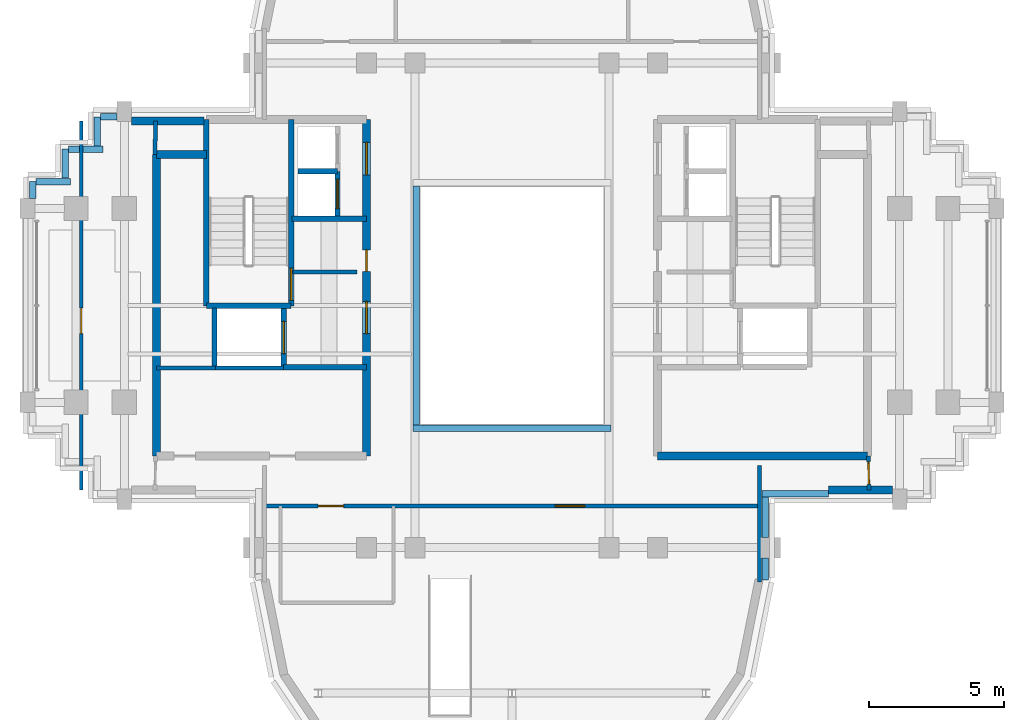
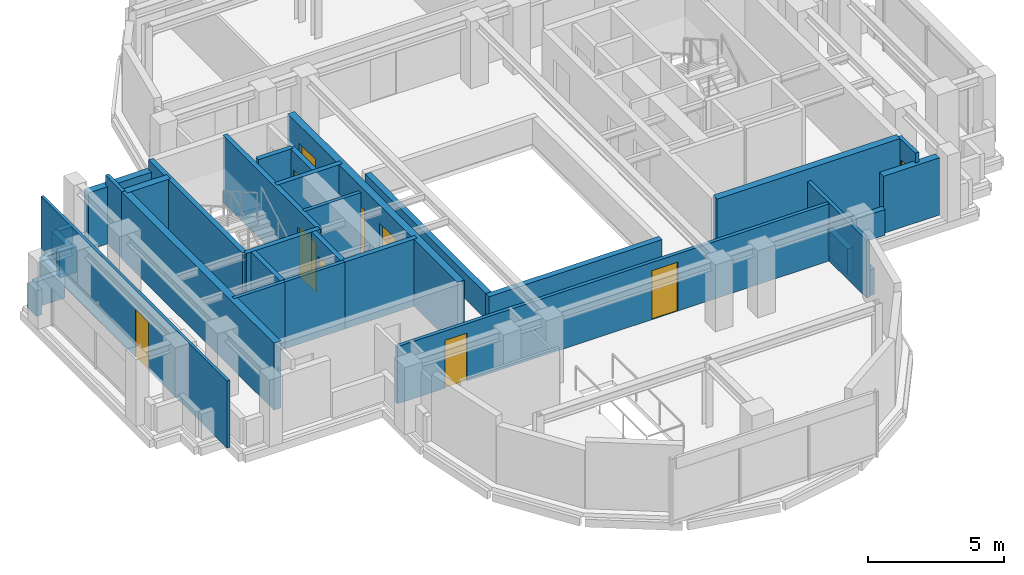
# One storey, part 8 of 12: 35 walls, 10 doors, 10 openings.
"""IFC4 building model written with IfcOpenShell, lengths in metres."""

from ifc_helpers import new_model, si_unit, direction, frame, frame_2d, origin, place, context, subcontext, project, spatial, rectangle, extrude, source, transform, mapped, material, layer, layer_set, type_object, element, fill, save


model = new_model("IFC4")

# Units and contexts
model_context = context("Model", 3, precision=1e-05, world=origin(), true_north=direction((0.0, 1.0)))
body_context = subcontext(model_context, "Body", "Model", "MODEL_VIEW")
ifc_project = project(units=[si_unit("LENGTHUNIT", "METRE"), si_unit("AREAUNIT", "SQUARE_METRE"), si_unit("VOLUMEUNIT", "CUBIC_METRE"), si_unit("PLANEANGLEUNIT", "RADIAN"), si_unit("MASSUNIT", "GRAM", prefix="KILO")], contexts=[model_context])

# Site, building, storey
site_placement = place(None, origin())
site = spatial("IfcSite", under=ifc_project, at=site_placement, CompositionType="ELEMENT")
building_placement = place(site_placement, origin())
building = spatial("IfcBuilding", under=site, at=building_placement, Name="Keilestroom Media Tower", CompositionType="ELEMENT")
storey_placement = place(building_placement, frame((0.0, 0.0, 242.800048828125)))
storey = spatial("IfcBuildingStorey", under=building, at=storey_placement, Name="L67", CompositionType="ELEMENT", Elevation=242.800048828125)

# Walls
ifc_material_1 = material(Name="Precast concrete C40/50", Category="concrete")
ifc_layer_1 = layer(ifc_material_1, 0.300048828125)
ifc_layer_set_1 = layer_set([ifc_layer_1], Name="Precast concrete C40/50")
wall_type_1 = type_object("IfcWallType", Name="Exterior-Masonry-Spandrel-Wall-300", PredefinedType="SOLIDWALL", material=ifc_layer_set_1)
wall_1_placement = place(storey_placement, frame((-14.133056640625, 6.85009765625, 0.0), z_axis=(0.0, 0.0, 1.0), x_axis=(1.0, 0.0, 0.0)))
element("IfcWall", 1, at=wall_1_placement, inside=storey, type_object=wall_type_1, Name="L67 Flank Masonry Wall EWL-L67-NW-1", PredefinedType="SOLIDWALL", context=body_context, shape_type="SweptSolid", body=[
    extrude(rectangle(XDim=2.68505859375, YDim=0.300048828125, at=frame_2d((1.342529296875, 0.0))), origin(), (0.0, 0.0, 1.0), 2.570068359375),
])
wall_2_placement = place(storey_placement, frame((11.75, -6.85009765625, 0.0), z_axis=(0.0, 0.0, 1.0), x_axis=(1.0, 0.0, 0.0)))
element("IfcWall", 2, at=wall_2_placement, inside=storey, type_object=wall_type_1, Name="L67 Flank Masonry Wall EWL-L67-SE-1", PredefinedType="SOLIDWALL", context=body_context, shape_type="SweptSolid", body=[
    extrude(rectangle(XDim=2.383056640625, YDim=0.300048828125, at=frame_2d((1.19140625, 0.0))), origin(), (0.0, 0.0, 1.0), 2.570068359375),
])

# Wall, opening, door
ifc_material_2 = material(Name="Gypsum Plasterboard & Steel Stud", Category="steel")
ifc_layer_2 = layer(ifc_material_2, 0.1201171875)
ifc_layer_set_2 = layer_set([ifc_layer_2], Name="Gypsum Plasterboard & Steel Stud")
wall_type_2 = type_object("IfcWallType", Name="Interior-Partition-Wall-120", PredefinedType="PARTITIONING", material=ifc_layer_set_2)
wall_3_placement = place(storey_placement, frame((-16.0, -6.85009765625, 0.0), z_axis=(0.0, 0.0, 1.0), x_axis=(0.0, 1.0, 0.0)))
wall_3 = element("IfcWall", 3, at=wall_3_placement, inside=storey, type_object=wall_type_2, Name="L67 Interior Wall WP-L67-WA-V", PredefinedType="PARTITIONING", context=body_context, shape_type="SweptSolid", body=[
    extrude(rectangle(XDim=13.7001953125, YDim=0.1201171875, at=frame_2d((6.85009765625, 0.0))), origin(), (0.0, 0.0, 1.0), 3.010009765625),
])
opening_1_placement = place(wall_3_placement, frame((5.800048828125, 0.0, 0.0)))
opening_1 = element("IfcOpeningElement", 4, at=opening_1_placement, cuts=wall_3, Name="Opening DI-03", PredefinedType="OPENING", context=body_context, shape_type="SweptSolid", body=[
    extrude(rectangle(XDim=0.949951171875, YDim=2.14990234375, at=frame_2d((0.47509765625, 1.074951171875))), frame((0.0, 0.070068359375, 0.0), z_axis=(0.0, -1.0, 0.0), x_axis=(1.0, 0.0, 0.0)), (0.0, 0.0, 1.0), 0.14013671875),
])
ifc_material_3 = material(Name="Lacquered European Oak Leaf", Category="wood")
door_type_1 = type_object("IfcDoorType", Name="Interior-Room-And-Suite-Door-DI-03", OperationType="NOTDEFINED", PredefinedType="DOOR", material=ifc_material_3)
shared_shape_1 = source(origin(), body_context, "Body", "SweptSolid", [
    extrude(rectangle(XDim=0.949951171875, YDim=2.14990234375, at=frame_2d((0.47509765625, 1.074951171875))), frame((0.0, 0.02490234375, 0.0), z_axis=(0.0, -1.0, 0.0), x_axis=(1.0, 0.0, 0.0)), (0.0, 0.0, 1.0), 0.050048828125),
])
door_1_placement = place(opening_1_placement, origin())
door_1 = element("IfcDoor", 5, at=door_1_placement, inside=storey, type_object=door_type_1, Name="L67 Interior Door DI-L67-DWA-W", OperationType="SINGLE_SWING_LEFT", OverallHeight=2.14990234375, OverallWidth=0.949951171875, PredefinedType="DOOR", context=body_context, shape_type="MappedRepresentation", body=[
    mapped(shared_shape_1, transform((0.0, 0.0, 0.0), x_axis=(1.0, 0.0, 0.0), y_axis=(0.0, 1.0, 0.0), z_axis=(0.0, 0.0, 1.0), scale=1.0)),
])
fill(opening_1, door_1)

# Walls
ifc_layer_3 = layer(ifc_material_2, 0.14990234375)
ifc_layer_set_3 = layer_set([ifc_layer_3], Name="Gypsum Plasterboard & Steel Stud")
wall_type_3 = type_object("IfcWallType", Name="Interior-Partition-Wall-150", PredefinedType="PARTITIONING", material=ifc_layer_set_3)
wall_4_placement = place(storey_placement, frame((-8.139892578125, 1.239990234375, 0.0), z_axis=(0.0, 0.0, 1.0), x_axis=(1.0, 0.0, 0.0)))
element("IfcWall", 6, at=wall_4_placement, inside=storey, type_object=wall_type_3, Name="L67 Interior Wall WP-L67-FFW-TOP", PredefinedType="PARTITIONING", context=body_context, shape_type="SweptSolid", body=[
    extrude(rectangle(XDim=2.389892578125, YDim=0.14990234375, at=frame_2d((1.19482421875, 0.0))), origin(), (0.0, 0.0, 1.0), 3.010009765625),
])
wall_5_placement = place(storey_placement, frame((-13.199951171875, -2.320068359375, 0.0), z_axis=(0.0, 0.0, 1.0), x_axis=(1.0, 0.0, 0.0)))
element("IfcWall", 7, at=wall_5_placement, inside=storey, type_object=wall_type_3, Name="L67 Interior Wall WP-L67-RECLW-N", PredefinedType="PARTITIONING", context=body_context, shape_type="SweptSolid", body=[
    extrude(rectangle(XDim=2.179931640625, YDim=0.14990234375, at=frame_2d((1.08984375, 0.0))), origin(), (0.0, 0.0, 1.0), 3.010009765625),
])
wall_6_placement = place(storey_placement, frame((-11.0400390625, -2.320068359375, 0.0), z_axis=(0.0, 0.0, 1.0), x_axis=(1.0, 0.0, 0.0)))
element("IfcWall", 8, at=wall_6_placement, inside=storey, type_object=wall_type_3, Name="L67 Interior Wall WP-L67-RECMW-N", PredefinedType="PARTITIONING", context=body_context, shape_type="SweptSolid", body=[
    extrude(rectangle(XDim=2.56005859375, YDim=0.14990234375, at=frame_2d((1.280029296875, 0.0))), origin(), (0.0, 0.0, 1.0), 3.010009765625),
])

# Wall, openings, doors
wall_7_placement = place(storey_placement, frame((-9.199951171875, -7.449951171875, 0.0), z_axis=(0.0, 0.0, 1.0), x_axis=(1.0, 0.0, 0.0)))
wall_7 = element("IfcWall", 9, at=wall_7_placement, inside=storey, type_object=wall_type_3, Name="L67 Interior Wall WP-L67-SL-BASE", PredefinedType="PARTITIONING", context=body_context, shape_type="SweptSolid", body=[
    extrude(rectangle(XDim=18.39990234375, YDim=0.14990234375, at=frame_2d((9.199951171875, 0.0))), origin(), (0.0, 0.0, 1.0), 2.570068359375),
])
opening_2_placement = place(wall_7_placement, frame((2.0, 0.0, 0.0)))
opening_2 = element("IfcOpeningElement", 10, at=opening_2_placement, cuts=wall_7, Name="Opening DI-03", PredefinedType="OPENING", context=body_context, shape_type="SweptSolid", body=[
    extrude(rectangle(XDim=0.949951171875, YDim=2.14990234375, at=frame_2d((0.47509765625, 1.074951171875))), frame((0.0, 0.0849609375, 0.0), z_axis=(0.0, -1.0, 0.0), x_axis=(1.0, 0.0, 0.0)), (0.0, 0.0, 1.0), 0.169921875),
])
opening_3_placement = place(wall_7_placement, frame((10.800048828125, 0.0, 0.0)))
opening_3 = element("IfcOpeningElement", 11, at=opening_3_placement, cuts=wall_7, Name="Opening DI-04", PredefinedType="OPENING", context=body_context, shape_type="SweptSolid", body=[
    extrude(rectangle(XDim=1.10009765625, YDim=2.199951171875, at=frame_2d((0.550048828125, 1.10009765625))), frame((0.0, 0.0849609375, 0.0), z_axis=(0.0, -1.0, 0.0), x_axis=(1.0, 0.0, 0.0)), (0.0, 0.0, 1.0), 0.169921875),
])
door_2_placement = place(opening_2_placement, origin())
door_2 = element("IfcDoor", 12, at=door_2_placement, inside=storey, type_object=door_type_1, Name="L67 Interior Door DI-L67-DSL-WC4", OperationType="SINGLE_SWING_RIGHT", OverallHeight=2.14990234375, OverallWidth=0.949951171875, PredefinedType="DOOR", context=body_context, shape_type="MappedRepresentation", body=[
    mapped(shared_shape_1, transform((0.0, 0.0, 0.0), x_axis=(1.0, 0.0, 0.0), y_axis=(0.0, 1.0, 0.0), z_axis=(0.0, 0.0, 1.0), scale=1.0)),
])
fill(opening_2, door_2)
ifc_material_4 = material(Name="Acoustic Glazed Aluminium Leaf", Category="aluminium")
door_type_2 = type_object("IfcDoorType", Name="Interior-Room-And-Suite-Door-DI-04", OperationType="NOTDEFINED", PredefinedType="DOOR", material=ifc_material_4)
shared_shape_2 = source(origin(), body_context, "Body", "SweptSolid", [
    extrude(rectangle(XDim=1.10009765625, YDim=2.199951171875, at=frame_2d((0.550048828125, 1.10009765625))), frame((0.0, 0.02490234375, 0.0), z_axis=(0.0, -1.0, 0.0), x_axis=(1.0, 0.0, 0.0)), (0.0, 0.0, 1.0), 0.050048828125),
])
door_3_placement = place(opening_3_placement, origin())
door_3 = element("IfcDoor", 13, at=door_3_placement, inside=storey, type_object=door_type_2, Name="L67 Interior Door DI-L67-DSL-RR", OperationType="SINGLE_SWING_LEFT", OverallHeight=2.199951171875, OverallWidth=1.10009765625, PredefinedType="DOOR", context=body_context, shape_type="MappedRepresentation", body=[
    mapped(shared_shape_2, transform((0.0, 0.0, 0.0), x_axis=(1.0, 0.0, 0.0), y_axis=(0.0, 1.0, 0.0), z_axis=(0.0, 0.0, 1.0), scale=1.0)),
])
fill(opening_3, door_3)

# Walls
wall_8_placement = place(storey_placement, frame((9.199951171875, -10.280029296875, 0.0), z_axis=(0.0, 0.0, 1.0), x_axis=(0.0, 1.0, 0.0)))
element("IfcWall", 14, at=wall_8_placement, inside=storey, type_object=wall_type_3, Name="L67 Interior Wall WP-L67-SL-CHKE", PredefinedType="PARTITIONING", context=body_context, shape_type="SweptSolid", body=[
    extrude(rectangle(XDim=4.340087890625, YDim=0.14990234375, at=frame_2d((2.169921875, 0.0))), origin(), (0.0, 0.0, 1.0), 2.60986328125),
])
wall_9_placement = place(storey_placement, frame((-13.260009765625, 5.60009765625, 0.0), z_axis=(0.0, 0.0, 1.0), x_axis=(0.016013571389, 0.999871774545, 0.0)))
element("IfcWall", 15, at=wall_9_placement, inside=storey, type_object=wall_type_3, Name="L67 Interior Wall WP-L67-WA-ENTN", PredefinedType="PARTITIONING", context=body_context, shape_type="SweptSolid", body=[
    extrude(rectangle(XDim=1.250244140625, YDim=0.14990234375, at=frame_2d((0.625, 0.0))), origin(), (0.0, 0.0, 1.0), 3.010009765625),
])

# Wall, opening, door
wall_10_placement = place(storey_placement, frame((13.260009765625, -6.85009765625, 0.0), z_axis=(0.0, 0.0, 1.0), x_axis=(-0.016013571389, 0.999871774545, 0.0)))
wall_10 = element("IfcWall", 16, at=wall_10_placement, inside=storey, type_object=wall_type_3, Name="L67 Interior Wall WP-L67-EA-ENTS", PredefinedType="PARTITIONING", context=body_context, shape_type="SweptSolid", body=[
    extrude(rectangle(XDim=1.250244140625, YDim=0.14990234375, at=frame_2d((0.625, 0.0))), origin(), (0.0, 0.0, 1.0), 3.010009765625),
])
opening_4_placement = place(wall_10_placement, frame((0.199951171875, 0.0, 0.0)))
opening_4 = element("IfcOpeningElement", 17, at=opening_4_placement, cuts=wall_10, Name="Opening DI-05", PredefinedType="OPENING", context=body_context, shape_type="SweptSolid", body=[
    extrude(rectangle(XDim=0.85009765625, YDim=2.10009765625, at=frame_2d((0.425048828125, 1.050048828125))), frame((0.0, 0.0849609375, 0.0), z_axis=(0.0, -1.0, 0.0), x_axis=(1.0, 0.0, 0.0)), (0.0, 0.0, 1.0), 0.169921875),
])
ifc_material_5 = material(Name="Moisture-Resistant Oak Leaf", Category="wood")
door_type_3 = type_object("IfcDoorType", Name="Interior-En-Suite-And-Cupboard-Door-DI-05", OperationType="NOTDEFINED", PredefinedType="DOOR", material=ifc_material_5)
shared_shape_3 = source(origin(), body_context, "Body", "SweptSolid", [
    extrude(rectangle(XDim=0.85009765625, YDim=2.10009765625, at=frame_2d((0.425048828125, 1.050048828125))), frame((0.0, 0.02490234375, 0.0), z_axis=(0.0, -1.0, 0.0), x_axis=(1.0, 0.0, 0.0)), (0.0, 0.0, 1.0), 0.050048828125),
])
door_4_placement = place(opening_4_placement, origin())
door_4 = element("IfcDoor", 18, at=door_4_placement, inside=storey, type_object=door_type_3, Name="L67 Interior Door DI-L67-DEA-S", OperationType="SINGLE_SWING_RIGHT", OverallHeight=2.10009765625, OverallWidth=0.85009765625, PredefinedType="DOOR", context=body_context, shape_type="MappedRepresentation", body=[
    mapped(shared_shape_3, transform((0.0, 0.0, 0.0), x_axis=(1.0, 0.0, 0.0), y_axis=(0.0, 1.0, 0.0), z_axis=(0.0, 0.0, 1.0), scale=1.0)),
])
fill(opening_4, door_4)

# Wall
ifc_material_6 = material(Name="Concrete C50/60", Category="concrete")
ifc_layer_4 = layer(ifc_material_6, 0.300048828125)
ifc_layer_set_4 = layer_set([ifc_layer_4], Name="Concrete C50/60")
wall_type_4 = type_object("IfcWallType", Name="Reinforced-Concrete-Core-Shear-Wall-300", PredefinedType="SHEAR", material=ifc_layer_set_4)
wall_11_placement = place(storey_placement, frame((-13.199951171875, -5.60009765625, 0.0), z_axis=(0.0, 0.0, 1.0), x_axis=(0.0, 1.0, 0.0)))
element("IfcWall", 19, at=wall_11_placement, inside=storey, type_object=wall_type_4, Name="L67 Core Shear Wall WL-L67-CORE-W-OUT", PredefinedType="SHEAR", context=body_context, shape_type="SweptSolid", body=[
    extrude(rectangle(XDim=11.2001953125, YDim=0.300048828125, at=frame_2d((5.60009765625, 0.0))), origin(), (0.0, 0.0, 1.0), 3.010009765625),
])

# Wall, openings, doors
wall_12_placement = place(storey_placement, frame((-5.39990234375, -5.60009765625, 0.0), z_axis=(0.0, 0.0, 1.0), x_axis=(0.0, 1.0, 0.0)))
wall_12 = element("IfcWall", 20, at=wall_12_placement, inside=storey, type_object=wall_type_4, Name="L67 Core Shear Wall WL-L67-CORE-W-IN", PredefinedType="SHEAR", context=body_context, shape_type="SweptSolid", body=[
    extrude(rectangle(XDim=12.5, YDim=0.300048828125, at=frame_2d((6.25, 0.0))), origin(), (0.0, 0.0, 1.0), 3.010009765625),
])
opening_5_placement = place(wall_12_placement, frame((4.550048828125, 0.0, 0.0)))
opening_5 = element("IfcOpeningElement", 21, at=opening_5_placement, cuts=wall_12, Name="Opening DI-02", PredefinedType="OPENING", context=body_context, shape_type="SweptSolid", body=[
    extrude(rectangle(XDim=1.199951171875, YDim=2.199951171875, at=frame_2d((0.60009765625, 1.10009765625))), frame((0.0, 0.16015625, 0.0), z_axis=(0.0, -1.0, 0.0), x_axis=(1.0, 0.0, 0.0)), (0.0, 0.0, 1.0), 0.320068359375),
])
opening_6_placement = place(wall_12_placement, frame((10.449951171875, 0.0, 0.0)))
opening_6 = element("IfcOpeningElement", 22, at=opening_6_placement, cuts=wall_12, Name="Opening DI-02", PredefinedType="OPENING", context=body_context, shape_type="SweptSolid", body=[
    extrude(rectangle(XDim=1.199951171875, YDim=2.199951171875, at=frame_2d((0.60009765625, 1.10009765625))), frame((0.0, 0.16015625, 0.0), z_axis=(0.0, -1.0, 0.0), x_axis=(1.0, 0.0, 0.0)), (0.0, 0.0, 1.0), 0.320068359375),
])
opening_7_placement = place(wall_12_placement, frame((6.860107421875, 0.0, 0.0)))
opening_7 = element("IfcOpeningElement", 23, at=opening_7_placement, cuts=wall_12, Name="Opening DI-06", PredefinedType="OPENING", context=body_context, shape_type="SweptSolid", body=[
    extrude(rectangle(XDim=0.800048828125, YDim=2.10009765625, at=frame_2d((0.39990234375, 1.050048828125))), frame((0.0, 0.16015625, 0.0), z_axis=(0.0, -1.0, 0.0), x_axis=(1.0, 0.0, 0.0)), (0.0, 0.0, 1.0), 0.320068359375),
])
ifc_material_7 = material(Name="Powder-Coated Steel Fire Leaf", Category="steel")
door_type_4 = type_object("IfcDoorType", Name="Interior-Compartment-Fire-Door-DI-02", OperationType="NOTDEFINED", PredefinedType="DOOR", material=ifc_material_7)
shared_shape_4 = source(origin(), body_context, "Body", "SweptSolid", [
    extrude(rectangle(XDim=1.199951171875, YDim=2.199951171875, at=frame_2d((0.60009765625, 1.10009765625))), frame((0.0, 0.02490234375, 0.0), z_axis=(0.0, -1.0, 0.0), x_axis=(1.0, 0.0, 0.0)), (0.0, 0.0, 1.0), 0.050048828125),
])
door_5_placement = place(opening_5_placement, origin())
door_5 = element("IfcDoor", 24, at=door_5_placement, inside=storey, type_object=door_type_4, Name="L67 W Firefighting Lobby Door", OperationType="SINGLE_SWING_RIGHT", OverallHeight=2.199951171875, OverallWidth=1.199951171875, PredefinedType="DOOR", context=body_context, shape_type="MappedRepresentation", body=[
    mapped(shared_shape_4, transform((0.0, 0.0, 0.0), x_axis=(1.0, 0.0, 0.0), y_axis=(0.0, 1.0, 0.0), z_axis=(0.0, 0.0, 1.0), scale=1.0)),
])
fill(opening_5, door_5)
door_6_placement = place(opening_6_placement, origin())
door_6 = element("IfcDoor", 25, at=door_6_placement, inside=storey, type_object=door_type_4, Name="L67 W High-Rise Lift Lobby Door", OperationType="SINGLE_SWING_LEFT", OverallHeight=2.199951171875, OverallWidth=1.199951171875, PredefinedType="DOOR", context=body_context, shape_type="MappedRepresentation", body=[
    mapped(shared_shape_4, transform((0.0, 0.0, 0.0), x_axis=(1.0, 0.0, 0.0), y_axis=(0.0, 1.0, 0.0), z_axis=(0.0, 0.0, 1.0), scale=1.0)),
])
fill(opening_6, door_6)
ifc_material_8 = material(Name="Powder-Coated Steel Service Leaf", Category="steel")
door_type_5 = type_object("IfcDoorType", Name="Interior-Riser-Access-Door-DI-06", OperationType="NOTDEFINED", PredefinedType="DOOR", material=ifc_material_8)
shared_shape_5 = source(origin(), body_context, "Body", "SweptSolid", [
    extrude(rectangle(XDim=0.800048828125, YDim=2.10009765625, at=frame_2d((0.39990234375, 1.050048828125))), frame((0.0, 0.02490234375, 0.0), z_axis=(0.0, -1.0, 0.0), x_axis=(1.0, 0.0, 0.0)), (0.0, 0.0, 1.0), 0.050048828125),
])
door_7_placement = place(opening_7_placement, origin())
door_7 = element("IfcDoor", 26, at=door_7_placement, inside=storey, type_object=door_type_5, Name="L67 West Core Switchroom Door", OperationType="SINGLE_SWING_LEFT", OverallHeight=2.10009765625, OverallWidth=0.800048828125, PredefinedType="DOOR", context=body_context, shape_type="MappedRepresentation", body=[
    mapped(shared_shape_5, transform((0.0, 0.0, 0.0), x_axis=(1.0, 0.0, 0.0), y_axis=(0.0, 1.0, 0.0), z_axis=(0.0, 0.0, 1.0), scale=1.0)),
])
fill(opening_7, door_7)

# Walls
wall_13_placement = place(storey_placement, frame((-13.199951171875, 5.60009765625, 0.0), z_axis=(0.0, 0.0, 1.0), x_axis=(1.0, 0.0, 0.0)))
element("IfcWall", 27, at=wall_13_placement, inside=storey, type_object=wall_type_4, Name="L67 Core Shear Wall WL-L67-CNW-N", PredefinedType="SHEAR", context=body_context, shape_type="SweptSolid", body=[
    extrude(rectangle(XDim=1.843994140625, YDim=0.300048828125, at=frame_2d((0.921875, 0.0))), origin(), (0.0, 0.0, 1.0), 3.010009765625),
])
wall_14_placement = place(storey_placement, frame((5.39990234375, -5.60009765625, 0.0), z_axis=(0.0, 0.0, 1.0), x_axis=(1.0, 0.0, 0.0)))
element("IfcWall", 28, at=wall_14_placement, inside=storey, type_object=wall_type_4, Name="L67 Core Shear Wall WL-L67-CORE-E-S", PredefinedType="SHEAR", context=body_context, shape_type="SweptSolid", body=[
    extrude(rectangle(XDim=7.800048828125, YDim=0.300048828125, at=frame_2d((3.89990234375, 0.0))), origin(), (0.0, 0.0, 1.0), 3.010009765625),
])
ifc_layer_5 = layer(ifc_material_6, 0.199951171875)
ifc_layer_set_5 = layer_set([ifc_layer_5], Name="Concrete C50/60")
wall_type_5 = type_object("IfcWallType", Name="Reinforced-Concrete-Shaft-Wall-200", PredefinedType="SOLIDWALL", material=ifc_layer_set_5)
wall_15_placement = place(storey_placement, frame((-8.179931640625, 3.219970703125, 0.0), z_axis=(0.0, 0.0, 1.0), x_axis=(1.0, 0.0, 0.0)))
element("IfcWall", 29, at=wall_15_placement, inside=storey, type_object=wall_type_5, Name="L67 Core Shear Wall WL-L67-CORE-W-FFN", PredefinedType="SOLIDWALL", context=body_context, shape_type="SweptSolid", body=[
    extrude(rectangle(XDim=2.780029296875, YDim=0.199951171875, at=frame_2d((1.39013671875, 0.0))), origin(), (0.0, 0.0, 1.0), 3.010009765625),
])
wall_16_placement = place(storey_placement, frame((-8.47998046875, -2.300048828125, 0.0), z_axis=(0.0, 0.0, 1.0), x_axis=(1.0, 0.0, 0.0)))
element("IfcWall", 30, at=wall_16_placement, inside=storey, type_object=wall_type_5, Name="L67 Core Shear Wall WL-L67-CORE-W-FFS", PredefinedType="SOLIDWALL", context=body_context, shape_type="SweptSolid", body=[
    extrude(rectangle(XDim=3.080078125, YDim=0.199951171875, at=frame_2d((1.5400390625, 0.0))), origin(), (0.0, 0.0, 1.0), 3.010009765625),
])

# Wall, opening, door
wall_17_placement = place(storey_placement, frame((-8.2041015625, -0.01611328125, 0.0), z_axis=(0.0, 0.0, 1.0), x_axis=(0.0, 1.0, 0.0)))
wall_17 = element("IfcWall", 31, at=wall_17_placement, inside=storey, type_object=wall_type_5, Name="L67 Core Shear Wall WL-L67-STW-W-NEAR", PredefinedType="SOLIDWALL", context=body_context, shape_type="SweptSolid", body=[
    extrude(rectangle(XDim=6.916015625, YDim=0.199951171875, at=frame_2d((3.4580078125, 0.0))), origin(), (0.0, 0.0, 1.0), 3.010009765625),
])
opening_8_placement = place(wall_17_placement, frame((0.199951171875, 0.0, 0.0)))
opening_8 = element("IfcOpeningElement", 32, at=opening_8_placement, cuts=wall_17, Name="Opening DI-01S", PredefinedType="OPENING", context=body_context, shape_type="SweptSolid", body=[
    extrude(rectangle(XDim=1.199951171875, YDim=2.199951171875, at=frame_2d((0.60009765625, 1.10009765625))), frame((0.0, 0.10986328125, 0.0), z_axis=(0.0, -1.0, 0.0), x_axis=(1.0, 0.0, 0.0)), (0.0, 0.0, 1.0), 0.219970703125),
])
door_type_6 = type_object("IfcDoorType", Name="Interior-Stair-And-Core-Fire-Door-DI-01", OperationType="NOTDEFINED", PredefinedType="DOOR", material=ifc_material_7)
door_8_placement = place(opening_8_placement, origin())
door_8 = element("IfcDoor", 33, at=door_8_placement, inside=storey, type_object=door_type_6, Name="L67 Escape Stair ST-1 Fire Door", OperationType="SINGLE_SWING_LEFT", OverallHeight=2.199951171875, OverallWidth=1.199951171875, PredefinedType="DOOR", context=body_context, shape_type="MappedRepresentation", body=[
    mapped(shared_shape_4, transform((0.0, 0.0, 0.0), x_axis=(1.0, 0.0, 0.0), y_axis=(0.0, 1.0, 0.0), z_axis=(0.0, 0.0, 1.0), scale=1.0)),
])
fill(opening_8, door_8)

# Walls
wall_18_placement = place(storey_placement, frame((-11.35595703125, -0.01611328125, 0.0), z_axis=(0.0, 0.0, 1.0), x_axis=(0.0, 1.0, 0.0)))
element("IfcWall", 34, at=wall_18_placement, inside=storey, type_object=wall_type_5, Name="L67 Core Shear Wall WL-L67-STW-W-FAR", PredefinedType="SOLIDWALL", context=body_context, shape_type="SweptSolid", body=[
    extrude(rectangle(XDim=6.916015625, YDim=0.199951171875, at=frame_2d((3.4580078125, 0.0))), origin(), (0.0, 0.0, 1.0), 3.010009765625),
])
wall_19_placement = place(storey_placement, frame((-11.35595703125, -0.01611328125, 0.0), z_axis=(0.0, 0.0, 1.0), x_axis=(1.0, 0.0, 0.0)))
element("IfcWall", 35, at=wall_19_placement, inside=storey, type_object=wall_type_5, Name="L67 Core Shear Wall WL-L67-STW-W-S", PredefinedType="SOLIDWALL", context=body_context, shape_type="SweptSolid", body=[
    extrude(rectangle(XDim=3.15185546875, YDim=0.199951171875, at=frame_2d((1.575927734375, 0.0))), origin(), (0.0, 0.0, 1.0), 3.010009765625),
])
wall_20_placement = place(storey_placement, frame((-11.050048828125, -2.280029296875, 0.0), z_axis=(0.0, 0.0, 1.0), x_axis=(0.0, 1.0, 0.0)))
element("IfcWall", 36, at=wall_20_placement, inside=storey, type_object=wall_type_5, Name="L67 Core Shear Wall WL-L67-LSH-FFL-1-W", PredefinedType="SOLIDWALL", context=body_context, shape_type="SweptSolid", body=[
    extrude(rectangle(XDim=2.179931640625, YDim=0.199951171875, at=frame_2d((1.08984375, 0.0))), origin(), (0.0, 0.0, 1.0), 3.010009765625),
])

# Wall, opening, door
wall_21_placement = place(storey_placement, frame((-8.47998046875, -2.280029296875, 0.0), z_axis=(0.0, 0.0, 1.0), x_axis=(0.0, 1.0, 0.0)))
wall_21 = element("IfcWall", 37, at=wall_21_placement, inside=storey, type_object=wall_type_5, Name="L67 Core Shear Wall WL-L67-LSH-FFL-1-E", PredefinedType="SOLIDWALL", context=body_context, shape_type="SweptSolid", body=[
    extrude(rectangle(XDim=2.179931640625, YDim=0.199951171875, at=frame_2d((1.08984375, 0.0))), origin(), (0.0, 0.0, 1.0), 3.010009765625),
])
opening_9_placement = place(wall_21_placement, frame((0.489990234375, 0.0, 0.0)))
opening_9 = element("IfcOpeningElement", 38, at=opening_9_placement, cuts=wall_21, Name="Opening LD-02", PredefinedType="OPENING", context=body_context, shape_type="SweptSolid", body=[
    extrude(rectangle(XDim=1.199951171875, YDim=2.199951171875, at=frame_2d((0.60009765625, 1.10009765625))), frame((0.0, 0.10986328125, 0.0), z_axis=(0.0, -1.0, 0.0), x_axis=(1.0, 0.0, 0.0)), (0.0, 0.0, 1.0), 0.219970703125),
])
ifc_material_9 = material(Name="Brushed Stainless Steel Sliding Leaf", Category="steel")
door_type_7 = type_object("IfcDoorType", Name="Lift-Landing-Sliding-Door-LD-02", OperationType="SLIDING_TO_RIGHT", PredefinedType="DOOR", material=ifc_material_9)
door_9_placement = place(opening_9_placement, origin())
door_9 = element("IfcDoor", 39, at=door_9_placement, inside=storey, type_object=door_type_7, Name="L67 Lift FFL-1 Landing Sliding Door", OperationType="SLIDING_TO_RIGHT", OverallHeight=2.199951171875, OverallWidth=1.199951171875, PredefinedType="DOOR", context=body_context, shape_type="MappedRepresentation", body=[
    mapped(shared_shape_4, transform((0.0, 0.0, 0.0), x_axis=(1.0, 0.0, 0.0), y_axis=(0.0, 1.0, 0.0), z_axis=(0.0, 0.0, 1.0), scale=1.0)),
])
fill(opening_9, door_9)

wall_22_placement = place(storey_placement, frame((-6.47998046875, 3.300048828125, 0.0), z_axis=(0.0, 0.0, 1.0), x_axis=(0.0, 1.0, 0.0)))
wall_22 = element("IfcWall", 40, at=wall_22_placement, inside=storey, type_object=wall_type_5, Name="L67 Core Shear Wall WL-L67-LSH-PL-H1-E", PredefinedType="SOLIDWALL", context=body_context, shape_type="SweptSolid", body=[
    extrude(rectangle(XDim=1.679931640625, YDim=0.199951171875, at=frame_2d((0.83984375, 0.0))), origin(), (0.0, 0.0, 1.0), 3.010009765625),
])
opening_10_placement = place(wall_22_placement, frame((0.2900390625, 0.0, 0.0)))
opening_10 = element("IfcOpeningElement", 41, at=opening_10_placement, cuts=wall_22, Name="Opening LD-01", PredefinedType="OPENING", context=body_context, shape_type="SweptSolid", body=[
    extrude(rectangle(XDim=1.10009765625, YDim=2.199951171875, at=frame_2d((0.550048828125, 1.10009765625))), frame((0.0, 0.10986328125, 0.0), z_axis=(0.0, -1.0, 0.0), x_axis=(1.0, 0.0, 0.0)), (0.0, 0.0, 1.0), 0.219970703125),
])
door_type_8 = type_object("IfcDoorType", Name="Lift-Landing-Sliding-Door-LD-01", OperationType="SLIDING_TO_LEFT", PredefinedType="DOOR", material=ifc_material_9)
door_10_placement = place(opening_10_placement, origin())
door_10 = element("IfcDoor", 42, at=door_10_placement, inside=storey, type_object=door_type_8, Name="L67 Lift PL-H1 Landing Sliding Door", OperationType="SLIDING_TO_LEFT", OverallHeight=2.199951171875, OverallWidth=1.10009765625, PredefinedType="DOOR", context=body_context, shape_type="MappedRepresentation", body=[
    mapped(shared_shape_2, transform((0.0, 0.0, 0.0), x_axis=(1.0, 0.0, 0.0), y_axis=(0.0, 1.0, 0.0), z_axis=(0.0, 0.0, 1.0), scale=1.0)),
])
fill(opening_10, door_10)

# Walls
wall_23_placement = place(storey_placement, frame((-7.949951171875, 4.97998046875, 0.0), z_axis=(0.0, 0.0, 1.0), x_axis=(1.0, 0.0, 0.0)))
element("IfcWall", 43, at=wall_23_placement, inside=storey, type_object=wall_type_5, Name="L67 Core Shear Wall WL-L67-LSH-PL-H1-N", PredefinedType="SOLIDWALL", context=body_context, shape_type="SweptSolid", body=[
    extrude(rectangle(XDim=1.469970703125, YDim=0.199951171875, at=frame_2d((0.73486328125, 0.0))), origin(), (0.0, 0.0, 1.0), 3.010009765625),
])
ifc_layer_6 = layer(ifc_material_1, 0.239990234375)
ifc_layer_set_6 = layer_set([ifc_layer_6], Name="Precast concrete C40/50")
wall_type_6 = type_object("IfcWallType", Name="Roof-And-Terrace-Parapet-Wall-240", PredefinedType="PARAPET", material=ifc_layer_set_6)
wall_24_placement = place(storey_placement, frame((11.7470703125, -7.0, 0.0), z_axis=(0.0, 0.0, 1.0), x_axis=(-1.0, 0.0, 0.0)))
element("IfcWall", 44, at=wall_24_placement, inside=storey, type_object=wall_type_6, Name="L67 Perimeter Edge Parapet Wall 06", PredefinedType="PARAPET", context=body_context, shape_type="SweptSolid", body=[
    extrude(rectangle(XDim=2.468994140625, YDim=0.239990234375, at=frame_2d((1.234375, 0.0))), origin(), (0.0, 0.0, 1.0), 1.14990234375),
])
wall_25_placement = place(storey_placement, frame((9.39990234375, -7.123046875, 0.0), z_axis=(0.0, 0.0, 1.0), x_axis=(0.0, -1.0, 0.0)))
element("IfcWall", 45, at=wall_25_placement, inside=storey, type_object=wall_type_6, Name="L67 Perimeter Edge Parapet Wall 07", PredefinedType="PARAPET", context=body_context, shape_type="SweptSolid", body=[
    extrude(rectangle(XDim=1.4990234375, YDim=0.239990234375, at=frame_2d((0.74951171875, 0.0))), origin(), (0.0, 0.0, 1.0), 1.14990234375),
])
wall_26_placement = place(storey_placement, frame((9.39990234375, -9.3779296875, 0.0), z_axis=(0.0, 0.0, 1.0), x_axis=(0.0, -1.0, 0.0)))
element("IfcWall", 46, at=wall_26_placement, inside=storey, type_object=wall_type_6, Name="L67 Perimeter Edge Parapet Wall 08", PredefinedType="PARAPET", context=body_context, shape_type="SweptSolid", body=[
    extrude(rectangle(XDim=0.824951171875, YDim=0.239990234375, at=frame_2d((0.41259765625, 0.0))), origin(), (0.0, 0.0, 1.0), 1.14990234375),
])
wall_27_placement = place(storey_placement, frame((-17.800048828125, 3.97802734375, 0.0), z_axis=(0.0, 0.0, 1.0), x_axis=(0.0, 1.0, 0.0)))
element("IfcWall", 47, at=wall_27_placement, inside=storey, type_object=wall_type_6, Name="L67 Perimeter Edge Parapet Wall 20", PredefinedType="PARAPET", context=body_context, shape_type="SweptSolid", body=[
    extrude(rectangle(XDim=0.6220703125, YDim=0.239990234375, at=frame_2d((0.31103515625, 0.0))), origin(), (0.0, 0.0, 1.0), 1.14990234375),
])
wall_28_placement = place(storey_placement, frame((-17.677001953125, 4.60009765625, 0.0), z_axis=(0.0, 0.0, 1.0), x_axis=(1.0, 0.0, 0.0)))
element("IfcWall", 48, at=wall_28_placement, inside=storey, type_object=wall_type_6, Name="L67 Perimeter Edge Parapet Wall 21", PredefinedType="PARAPET", context=body_context, shape_type="SweptSolid", body=[
    extrude(rectangle(XDim=1.277099609375, YDim=0.239990234375, at=frame_2d((0.638671875, 0.0))), origin(), (0.0, 0.0, 1.0), 1.14990234375),
])
wall_29_placement = place(storey_placement, frame((-16.60009765625, 4.722900390625, 0.0), z_axis=(0.0, 0.0, 1.0), x_axis=(0.0, 1.0, 0.0)))
element("IfcWall", 49, at=wall_29_placement, inside=storey, type_object=wall_type_6, Name="L67 Perimeter Edge Parapet Wall 22", PredefinedType="PARAPET", context=body_context, shape_type="SweptSolid", body=[
    extrude(rectangle(XDim=1.0771484375, YDim=0.239990234375, at=frame_2d((0.53857421875, 0.0))), origin(), (0.0, 0.0, 1.0), 1.14990234375),
])
wall_30_placement = place(storey_placement, frame((-16.47705078125, 5.800048828125, 0.0), z_axis=(0.0, 0.0, 1.0), x_axis=(1.0, 0.0, 0.0)))
element("IfcWall", 50, at=wall_30_placement, inside=storey, type_object=wall_type_6, Name="L67 Perimeter Edge Parapet Wall 23", PredefinedType="PARAPET", context=body_context, shape_type="SweptSolid", body=[
    extrude(rectangle(XDim=0.4140625, YDim=0.239990234375, at=frame_2d((0.20703125, 0.0))), origin(), (0.0, 0.0, 1.0), 1.14990234375),
])
wall_31_placement = place(storey_placement, frame((-15.93701171875, 5.800048828125, 0.0), z_axis=(0.0, 0.0, 1.0), x_axis=(1.0, 0.0, 0.0)))
element("IfcWall", 51, at=wall_31_placement, inside=storey, type_object=wall_type_6, Name="L67 Perimeter Edge Parapet Wall 24", PredefinedType="PARAPET", context=body_context, shape_type="SweptSolid", body=[
    extrude(rectangle(XDim=0.737060546875, YDim=0.239990234375, at=frame_2d((0.36865234375, 0.0))), origin(), (0.0, 0.0, 1.0), 1.14990234375),
])
wall_32_placement = place(storey_placement, frame((-15.39990234375, 5.923095703125, 0.0), z_axis=(0.0, 0.0, 1.0), x_axis=(0.0, 1.0, 0.0)))
element("IfcWall", 52, at=wall_32_placement, inside=storey, type_object=wall_type_6, Name="L67 Perimeter Edge Parapet Wall 25", PredefinedType="PARAPET", context=body_context, shape_type="SweptSolid", body=[
    extrude(rectangle(XDim=1.076904296875, YDim=0.239990234375, at=frame_2d((0.53857421875, 0.0))), origin(), (0.0, 0.0, 1.0), 1.14990234375),
])
wall_33_placement = place(storey_placement, frame((-15.277099609375, 7.0, 0.0), z_axis=(0.0, 0.0, 1.0), x_axis=(1.0, 0.0, 0.0)))
element("IfcWall", 53, at=wall_33_placement, inside=storey, type_object=wall_type_6, Name="L67 Perimeter Edge Parapet Wall 26", PredefinedType="PARAPET", context=body_context, shape_type="SweptSolid", body=[
    extrude(rectangle(XDim=0.59912109375, YDim=0.239990234375, at=frame_2d((0.299560546875, 0.0))), origin(), (0.0, 0.0, 1.0), 1.14990234375),
])
wall_34_placement = place(storey_placement, frame((-3.679931640625, -4.56005859375, 0.0), z_axis=(0.0, 0.0, 1.0), x_axis=(1.0, 0.0, 0.0)))
element("IfcWall", 54, at=wall_34_placement, inside=storey, type_object=wall_type_6, Name="L67 Central Atrium Guard Parapet S", PredefinedType="PARAPET", context=body_context, shape_type="SweptSolid", body=[
    extrude(rectangle(XDim=7.35986328125, YDim=0.239990234375, at=frame_2d((3.679931640625, 0.0))), origin(), (0.0, 0.0, 1.0), 1.14990234375),
])
wall_35_placement = place(storey_placement, frame((-3.56005859375, -4.43505859375, 0.0), z_axis=(0.0, 0.0, 1.0), x_axis=(0.0, 1.0, 0.0)))
element("IfcWall", 55, at=wall_35_placement, inside=storey, type_object=wall_type_6, Name="L67 Central Atrium Guard Parapet W", PredefinedType="PARAPET", context=body_context, shape_type="SweptSolid", body=[
    extrude(rectangle(XDim=8.8701171875, YDim=0.239990234375, at=frame_2d((4.43505859375, 0.0))), origin(), (0.0, 0.0, 1.0), 1.14990234375),
])

save(model, "model.ifc")
